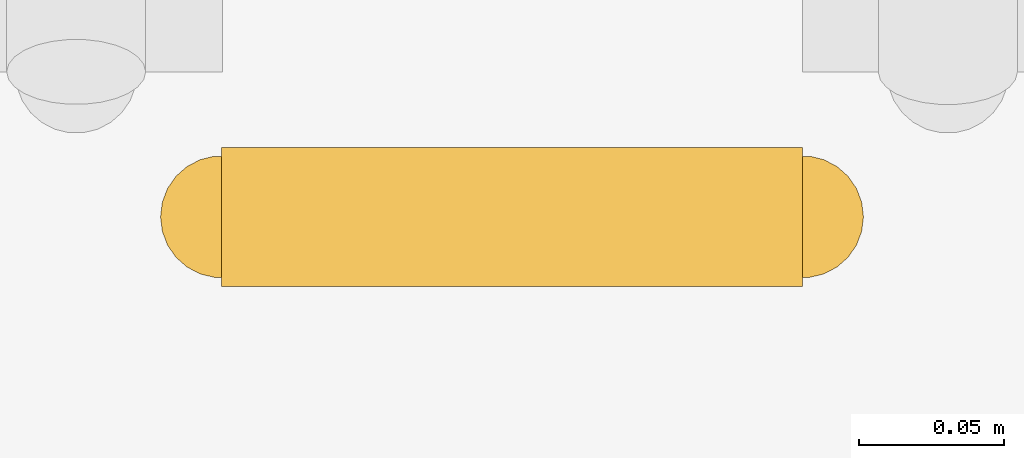
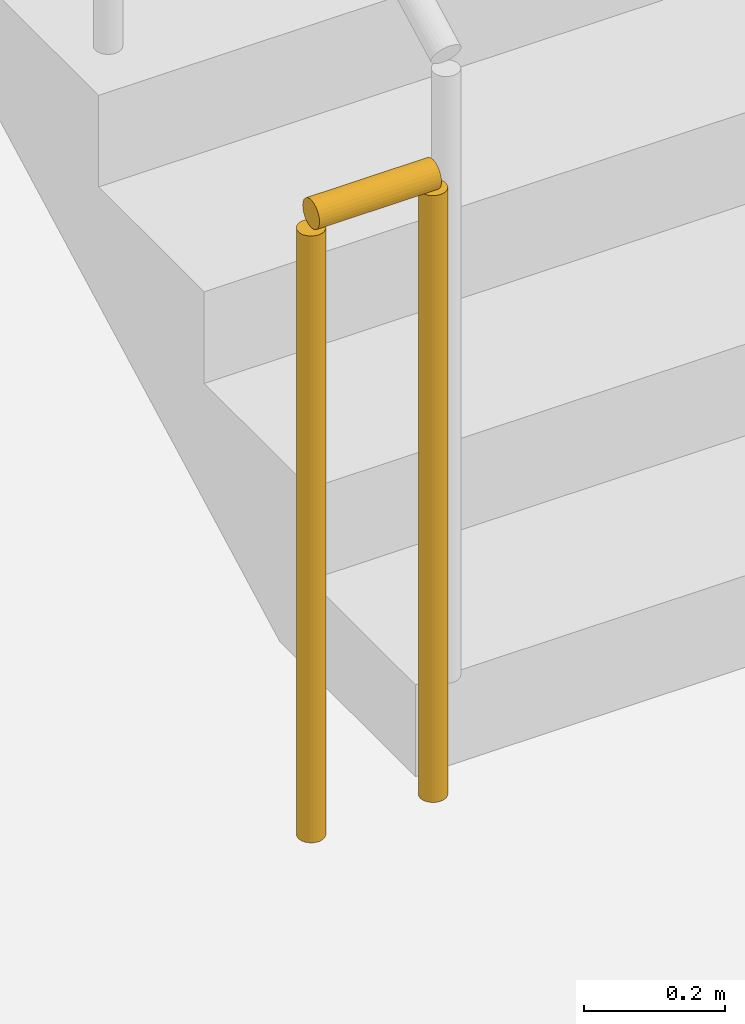
# One storey, part 38 of 45: 1 railing.
"""IFC4 building model written with IfcOpenShell, lengths in metres."""

import ifcopenshell
import ifcopenshell.guid

model = None  # the IFC model being written
_history = None  # IfcOwnerHistory: only IFC2X3 demands one
_inside = {}  # id of a spatial element -> (the spatial element, [elements in it])
_under = {}  # id of a project, library or spatial element -> (it, [spatial elements below it])
_declared = {}  # id of a project -> (the project, [libraries it declares])
_typed = {}  # id of a type object -> (the type object, [elements of that type])
_made_of = {}  # id of a material, layer set ... -> (it, [elements and type objects made of it])


def new_model(schema):
    """Start an empty IFC model of exactly this schema.

    Asked for "IFC4X3", IfcOpenShell would pick the latest addendum, in which some entities
    have other attributes; the version numbers below select the first issue.
    IFC2X3 requires an IfcOwnerHistory on every rooted entity: one is made here for all.
    """
    global model, _history
    if schema == "IFC4X3":
        model = ifcopenshell.file(schema_version=(4, 3, 0, 0))
    else:
        model = ifcopenshell.file(schema=schema)
    _inside.clear()
    _under.clear()
    _declared.clear()
    _typed.clear()
    _made_of.clear()
    _history = None
    if model.schema == "IFC2X3":
        org = make("IfcOrganization", Name="unknown")
        user = make(
            "IfcPersonAndOrganization",
            ThePerson=make("IfcPerson", FamilyName="unknown"),
            TheOrganization=org,
        )
        app = make(
            "IfcApplication",
            ApplicationDeveloper=org,
            Version="unknown",
            ApplicationFullName="unknown",
            ApplicationIdentifier="unknown",
        )
        _history = make(
            "IfcOwnerHistory",
            OwningUser=user,
            OwningApplication=app,
            ChangeAction="ADDED",
            CreationDate=0,
        )
    return model


def make(cls, **values):
    """One entity of the class cls with the attributes given. An attribute that is None is left unset."""
    return model.create_entity(
        cls, **{name: value for name, value in values.items() if value is not None}
    )


def rooted(cls, **values):
    """An entity with a GlobalId (a new one), such as an element, a storey or a relation."""
    return make(cls, GlobalId=ifcopenshell.guid.new(), OwnerHistory=_history, **values)


def si_unit(unit_type, name, prefix=None):
    """IfcSIUnit, for example si_unit("LENGTHUNIT", "METRE", prefix="MILLI")."""
    return make("IfcSIUnit", UnitType=unit_type, Prefix=prefix, Name=name)


def assignment(units):
    """IfcUnitAssignment: the units of a project."""
    return None if units is None else make("IfcUnitAssignment", Units=units)


def point(xyz):
    """IfcCartesianPoint."""
    return None if xyz is None else make("IfcCartesianPoint", Coordinates=xyz)


def direction(xyz):
    """IfcDirection."""
    return None if xyz is None else make("IfcDirection", DirectionRatios=xyz)


def frame(location, z_axis=None, x_axis=None):
    """IfcAxis2Placement3D, a coordinate frame: its origin and axes. An axis left out is left unset."""
    return make(
        "IfcAxis2Placement3D",
        Location=point(location),
        Axis=direction(z_axis),
        RefDirection=direction(x_axis),
    )


def frame_2d(location, x_axis=None):
    """IfcAxis2Placement2D, a coordinate frame in the plane: its origin and x axis."""
    return make(
        "IfcAxis2Placement2D", Location=point(location), RefDirection=direction(x_axis)
    )


def origin():
    """The frame at (0, 0, 0) with its axes left unset."""
    return frame((0.0, 0.0, 0.0))


def origin_2d():
    """The frame at (0, 0) in the plane with its x axis left unset."""
    return frame_2d((0.0, 0.0))


def place(relative_to, where):
    """IfcLocalPlacement: puts the frame where relative to a parent placement (None: the world)."""
    return make(
        "IfcLocalPlacement", PlacementRelTo=relative_to, RelativePlacement=where
    )


def context(
    kind, dimensions, precision=None, world=None, true_north=None, identifier=None
):
    """IfcGeometricRepresentationContext, for example the 3D "Model" context."""
    return make(
        "IfcGeometricRepresentationContext",
        ContextIdentifier=identifier,
        ContextType=kind,
        CoordinateSpaceDimension=dimensions,
        Precision=precision,
        WorldCoordinateSystem=world,
        TrueNorth=true_north,
    )


def subcontext(parent, identifier, kind, view, scale=None):
    """IfcGeometricRepresentationSubContext, for example "Body" below "Model"."""
    return make(
        "IfcGeometricRepresentationSubContext",
        ContextIdentifier=identifier,
        ContextType=kind,
        ParentContext=parent,
        TargetScale=scale,
        TargetView=view,
    )


def project(units=None, contexts=None):
    """IfcProject with its units and contexts."""
    return rooted(
        "IfcProject",
        Name="project",
        RepresentationContexts=contexts,
        UnitsInContext=assignment(units),
    )


def spatial(cls, under=None, at=None, **own):
    """A site, building, storey or space (cls), placed at a placement, below another one or the project."""
    s = rooted(cls, ObjectPlacement=at, **own)
    if under is not None:
        _under.setdefault(under.id(), (under, []))[1].append(s)
    return s


def profile(cls, at=None, kind="AREA", **sizes):
    """A parametric profile (cls). Its sizes go by their IFC names, for example OverallWidth=200.0."""
    return make(cls, ProfileType=kind, Position=at, **sizes)


def circle(**sizes):
    """IfcCircleProfileDef."""
    return profile("IfcCircleProfileDef", **sizes)


def extrude(swept, where, along, depth):
    """IfcExtrudedAreaSolid: the profile swept, set in the frame where, extruded along a direction by depth."""
    return make(
        "IfcExtrudedAreaSolid",
        SweptArea=swept,
        Position=where,
        ExtrudedDirection=direction(along),
        Depth=depth,
    )


def shape(context_of_items, identifier, shape_type, items):
    """IfcShapeRepresentation: the items that make up one representation, for example the "Body"."""
    return make(
        "IfcShapeRepresentation",
        ContextOfItems=context_of_items,
        RepresentationIdentifier=identifier,
        RepresentationType=shape_type,
        Items=items,
    )


def material(Name=None, Category=None):
    """IfcMaterial."""
    return make("IfcMaterial", Name=Name, Category=Category)


def made_of(thing, what):
    """Note that an element or type object is made of a material, layer set ...; save() writes the relation."""
    if what is not None:
        _made_of.setdefault(what.id(), (what, []))[1].append(thing)
    return thing


def type_object(cls, material=None, **own):
    """A type object (cls), such as IfcWallType, which elements share."""
    return made_of(rooted(cls, **own), material)


def element(
    cls,
    number,
    at=None,
    inside=None,
    cuts=None,
    type_object=None,
    material=None,
    context=None,
    identifier="Body",
    shape_type=None,
    held_by="IfcProductDefinitionShape",
    body=None,
    shapes=None,
    **own,
):
    """One element of the class cls, such as IfcWall. Its Tag is "e" and its number.

    at: its placement. inside: the storey or other place that contains it. cuts: it is an
    opening in that element (IfcRelVoidsElement). A single representation is given by context,
    identifier, shape_type and body (its items); several are given by shapes. held_by: the class
    of the entity that holds the representations. save() writes the other relations.
    """
    e = rooted(cls, Tag="e%d" % number, ObjectPlacement=at, **own)
    if body is not None:
        shapes = [shape(context, identifier, shape_type, body)]
    if shapes is not None:
        e.Representation = make(held_by, Representations=shapes)
    if inside is not None:
        _inside.setdefault(inside.id(), (inside, []))[1].append(e)
    if cuts is not None:
        rooted(
            "IfcRelVoidsElement", RelatingBuildingElement=cuts, RelatedOpeningElement=e
        )
    if type_object is not None:
        _typed.setdefault(type_object.id(), (type_object, []))[1].append(e)
    return made_of(e, material)


def aggregate(whole, parts):
    """IfcRelAggregates: a whole, such as a stair, and the parts it consists of."""
    return rooted("IfcRelAggregates", RelatingObject=whole, RelatedObjects=parts)


def save(model, path):
    """Write the relations noted so far, then the file.

    IfcRelAggregates (storeys below a building ...), IfcRelContainedInSpatialStructure (elements
    in a storey), IfcRelDefinesByType, IfcRelAssociatesMaterial and IfcRelDeclares: one each for
    every whole, place, type object, material and project.
    """
    for whole, parts in _under.values():
        aggregate(whole, parts)
    for where, things in _inside.values():
        rooted(
            "IfcRelContainedInSpatialStructure",
            RelatedElements=things,
            RelatingStructure=where,
        )
    for kind, things in _typed.values():
        rooted("IfcRelDefinesByType", RelatedObjects=things, RelatingType=kind)
    for what, things in _made_of.values():
        rooted("IfcRelAssociatesMaterial", RelatedObjects=things, RelatingMaterial=what)
    for by, libraries in _declared.values():
        rooted("IfcRelDeclares", RelatingContext=by, RelatedDefinitions=libraries)
    model.write(path)


model = new_model("IFC4")

# Units and contexts
model_context = context("Model", 3, precision=1e-05, world=origin(), true_north=direction((0.0, 1.0)))
body_context = subcontext(model_context, "Body", "Model", "MODEL_VIEW")
ifc_project = project(units=[si_unit("LENGTHUNIT", "METRE"), si_unit("AREAUNIT", "SQUARE_METRE"), si_unit("VOLUMEUNIT", "CUBIC_METRE"), si_unit("PLANEANGLEUNIT", "RADIAN"), si_unit("MASSUNIT", "GRAM", prefix="KILO")], contexts=[model_context])

# Site, building, storey
site_placement = place(None, origin())
site = spatial("IfcSite", under=ifc_project, at=site_placement, CompositionType="ELEMENT")
building_placement = place(site_placement, origin())
building = spatial("IfcBuilding", under=site, at=building_placement, Name="Kenh Van Central Station", CompositionType="ELEMENT")
storey_placement = place(building_placement, frame((0.0, 0.0, -5.39990234375)))
storey = spatial("IfcBuildingStorey", under=building, at=storey_placement, Name="B1", CompositionType="ELEMENT", Elevation=-5.39990234375)

# Railing
ifc_material = material(Name="Champagne anodised aluminium", Category="aluminium")
railing_type = type_object("IfcRailingType", Name="RAIL-CORE-GRD110", PredefinedType="GUARDRAIL", material=ifc_material)
railing_placement = place(storey_placement, frame((114.89990234375, 22.85009765625, 0.0)))
element("IfcRailing", 1, at=railing_placement, inside=storey, type_object=railing_type, Name="B1 ST-04 stair guard 4", PredefinedType="GUARDRAIL", context=body_context, shape_type="SweptSolid", body=[
    extrude(circle(Radius=0.02392578125, at=origin_2d()), frame((0.0, 0.0, 1.076171875), z_axis=(-1.0, 0.0, 0.0), x_axis=(0.0, -1.0, 0.0)), (0.0, 0.0, 1.0), 0.199951171875),
    extrude(circle(Radius=0.02099609375, at=origin_2d()), origin(), (0.0, 0.0, 1.0), 1.052001953125),
    extrude(circle(Radius=0.02099609375, at=origin_2d()), frame((-0.199951171875, 0.0, 0.0)), (0.0, 0.0, 1.0), 1.052001953125),
])

save(model, "model.ifc")
